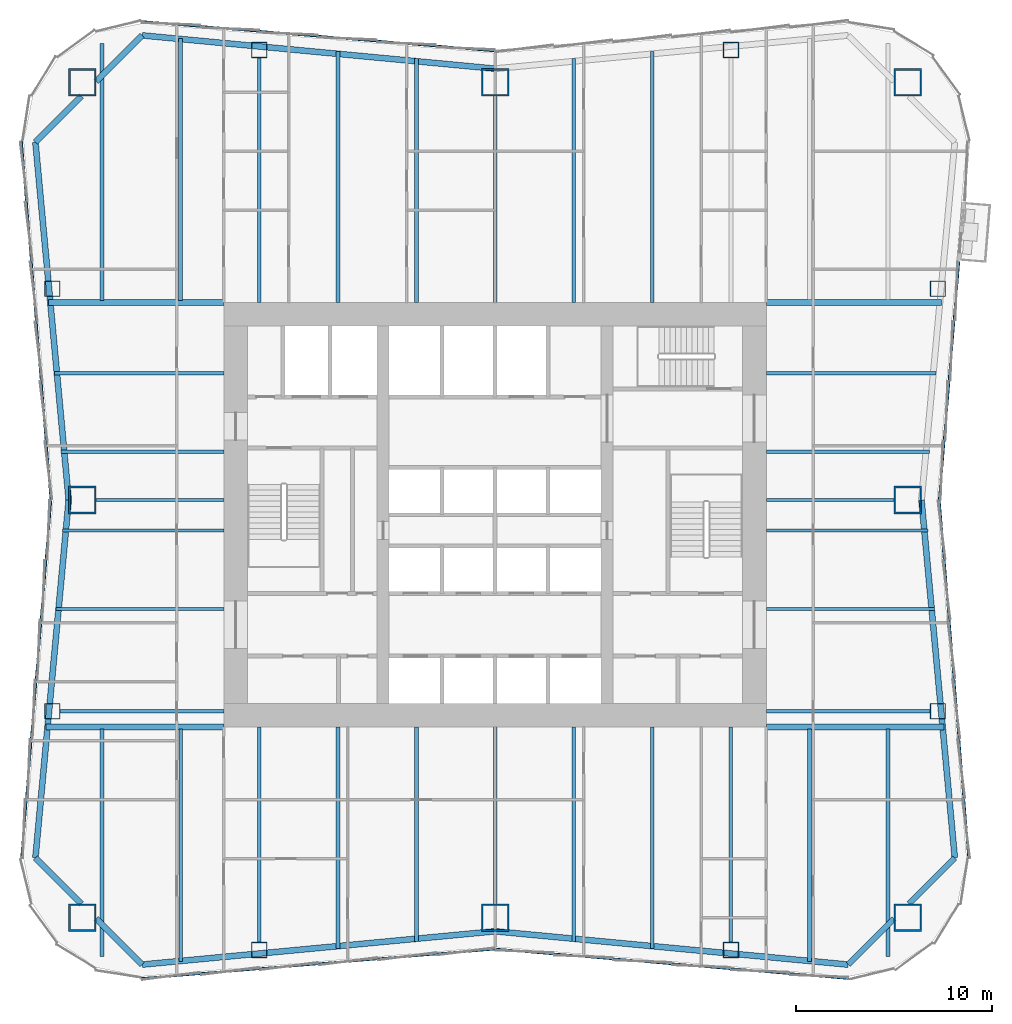
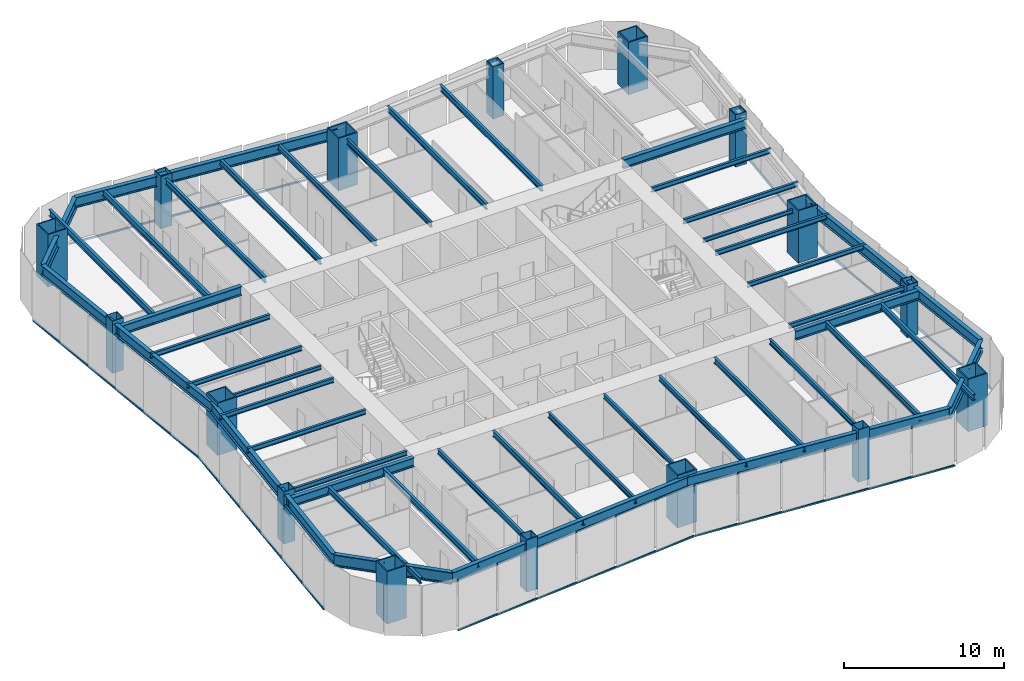
# One storey, part 1 of 9: 47 beams, 16 columns, 7 members, 4 elements without a shape of their own.
"""IFC4 building model written with IfcOpenShell, lengths in metres."""

from ifc_helpers import new_model, si_unit, direction, frame, origin, origin_2d, place, context, subcontext, project, spatial, rectangle, hollow_rectangle, i_section, extrude, material, material_profile, profile_set, type_object, element, aggregate, save


model = new_model("IFC4")

# Units and contexts
model_context = context("Model", 3, precision=1e-05, world=origin(), true_north=direction((0.0, 1.0)))
body_context = subcontext(model_context, "Body", "Model", "MODEL_VIEW")
ifc_project = project(units=[si_unit("LENGTHUNIT", "METRE"), si_unit("AREAUNIT", "SQUARE_METRE"), si_unit("VOLUMEUNIT", "CUBIC_METRE"), si_unit("PLANEANGLEUNIT", "RADIAN"), si_unit("MASSUNIT", "GRAM", prefix="KILO")], contexts=[model_context])

# Site, building, storey
site_placement = place(None, origin())
site = spatial("IfcSite", under=ifc_project, at=site_placement, CompositionType="ELEMENT")
building_placement = place(site_placement, origin())
building = spatial("IfcBuilding", under=site, at=building_placement, Name="Verdant Reach Tower", CompositionType="ELEMENT")
storey_placement = place(building_placement, frame((0.0, 0.0, 110.0)))
storey = spatial("IfcBuildingStorey", under=building, at=storey_placement, Name="L25", CompositionType="ELEMENT", Elevation=110.0)

# Columns
ifc_material_1 = material(Name="Steel S460", Category="steel")
ifc_material_profile_1 = material_profile(ifc_material_1, hollow_rectangle(XDim=1.39990234375, YDim=1.39990234375, WallThickness=0.080078125, at=origin_2d()), Name="WB 1400x1400x80")
ifc_profile_set_1 = profile_set([ifc_material_profile_1], Name="Steel S460")
column_type_1 = type_object("IfcColumnType", Name="ST-COL-WB1400x1400x80", PredefinedType="COLUMN", material=ifc_profile_set_1)
for number, where, z_axis, x_axis, name in (
    (1, (-21.0, 50.0, 0.0), (0.0, 0.0, 1.0), (1.0, 0.0, 0.0), "Mega column north-west, L25"),
    (2, (0.0, 50.0, 0.0), (0.0, 0.0, 1.0), (1.0, 0.0, 0.0), "Mega column north, L25"),
    (3, (21.0, 50.0, 0.0), (0.0, 0.0, 1.0), (1.0, 0.0, 0.0), "Mega column north-east, L25"),
    (4, (21.0, 28.75, 0.0), (0.0, 0.0, 1.0), (1.0, 0.0, 0.0), "Mega column east, L25"),
    (5, (21.0, 7.5, 0.0), (0.0, 0.0, 1.0), (1.0, 0.0, 0.0), "Mega column south-east, L25"),
    (6, (0.0, 7.5, 0.0), (0.0, 0.0, 1.0), (1.0, 0.0, 0.0), "Mega column south, L25"),
    (7, (-21.0, 7.5, 0.0), (0.0, 0.0, 1.0), (1.0, 0.0, 0.0), "Mega column south-west, L25"),
    (8, (-21.0, 28.75, 0.0), (0.0, 0.0, 1.0), (1.0, 0.0, 0.0), "Mega column west, L25"),
):
    element("IfcColumn", number, at=place(storey_placement, frame(where, z_axis=z_axis, x_axis=x_axis)), inside=storey, type_object=column_type_1, Name=name, PredefinedType="COLUMN", context=body_context, shape_type="SweptSolid", body=[
        extrude(hollow_rectangle(XDim=1.39990234375, YDim=1.39990234375, WallThickness=0.080078125, at=origin_2d()), origin(), (0.0, 0.0, 1.0), 4.0),
    ])
ifc_material_profile_2 = material_profile(ifc_material_1, hollow_rectangle(XDim=0.800048828125, YDim=0.800048828125, WallThickness=0.0400390625, at=origin_2d()), Name="WB 800x800x40")
ifc_profile_set_2 = profile_set([ifc_material_profile_2], Name="Steel S460")
column_type_2 = type_object("IfcColumnType", Name="ST-COL-WB800x800x40", PredefinedType="COLUMN", material=ifc_profile_set_2)
for number, where, z_axis, x_axis, name in (
    (9, (-12.0, 51.64990234375, 0.0), (0.0, 0.0, 1.0), (1.0, 0.0, 0.0), "Perimeter column north 1, L25"),
    (10, (12.0, 51.64990234375, 0.0), (0.0, 0.0, 1.0), (1.0, 0.0, 0.0), "Perimeter column north 2, L25"),
    (11, (-12.0, 5.85009765625, 0.0), (0.0, 0.0, 1.0), (1.0, 0.0, 0.0), "Perimeter column south 1, L25"),
    (12, (12.0, 5.85009765625, 0.0), (0.0, 0.0, 1.0), (1.0, 0.0, 0.0), "Perimeter column south 2, L25"),
    (13, (22.53369140625, 18.0, 0.0), (0.0, 0.0, 1.0), (1.0, 0.0, 0.0), "Perimeter column east 1, L25"),
    (14, (22.53369140625, 39.5, 0.0), (0.0, 0.0, 1.0), (1.0, 0.0, 0.0), "Perimeter column east 2, L25"),
    (15, (-22.53369140625, 18.0, 0.0), (0.0, 0.0, 1.0), (1.0, 0.0, 0.0), "Perimeter column west 1, L25"),
    (16, (-22.53369140625, 39.5, 0.0), (0.0, 0.0, 1.0), (1.0, 0.0, 0.0), "Perimeter column west 2, L25"),
):
    element("IfcColumn", number, at=place(storey_placement, frame(where, z_axis=z_axis, x_axis=x_axis)), inside=storey, type_object=column_type_2, Name=name, PredefinedType="COLUMN", context=body_context, shape_type="SweptSolid", body=[
        extrude(hollow_rectangle(XDim=0.800048828125, YDim=0.800048828125, WallThickness=0.0400390625, at=origin_2d()), origin(), (0.0, 0.0, 1.0), 4.0),
    ])

# Curtain wall, members
ifc_material_2 = material(Name="Anodised aluminium", Category="aluminium")
curtain_wall_type = type_object("IfcCurtainWallType", Name="EN-CW SYSTEM Z1", PredefinedType="NOTDEFINED", material=ifc_material_2)
curtain_wall_1_placement = place(storey_placement, origin())
curtain_wall_1 = element("IfcCurtainWall", 17, at=curtain_wall_1_placement, inside=storey, type_object=curtain_wall_type, Name="Curtain wall east, L25", PredefinedType="NOTDEFINED")
ifc_material_profile_3 = material_profile(ifc_material_2, rectangle(XDim=0.10009765625, YDim=0.1220703125, at=origin_2d()), Name="Transom 122x100")
ifc_profile_set_3 = profile_set([ifc_material_profile_3], Name="Anodised aluminium")
member_type = type_object("IfcMemberType", Name="EN-TRANSOM Z1", PredefinedType="USERDEFINED", material=ifc_profile_set_3)
member_1_placement = place(storey_placement, frame((24.100341796875, 10.52490234375, -0.2890625), z_axis=(-0.081886623329, 0.996641651207, 0.0), x_axis=(-0.996641651207, -0.081886623329, 0.0)))
member_1 = element("IfcMember", 18, at=member_1_placement, type_object=member_type, Name="Transom east face part 1 1.1, L25", ObjectType="TRANSOM", PredefinedType="USERDEFINED", context=body_context, shape_type="SweptSolid", body=[
    extrude(rectangle(XDim=0.10009765625, YDim=0.1220703125, at=origin_2d()), origin(), (0.0, 0.0, 1.0), 18.25537109375),
])
member_2_placement = place(storey_placement, frame((22.60546875, 28.781005859375, -0.2890625), z_axis=(0.081948400518, 0.996636573507, 0.0), x_axis=(-0.996636573507, 0.081948400518, 0.0)))
member_2 = element("IfcMember", 19, at=member_2_placement, type_object=member_type, Name="Transom east face part 2 1.1, L25", ObjectType="TRANSOM", PredefinedType="USERDEFINED", context=body_context, shape_type="SweptSolid", body=[
    extrude(rectangle(XDim=0.10009765625, YDim=0.1220703125, at=origin_2d()), origin(), (0.0, 0.0, 1.0), 12.13720703125),
])
aggregate(curtain_wall_1, [member_1, member_2])

# Curtain wall, member
curtain_wall_2_placement = place(storey_placement, origin())
curtain_wall_2 = element("IfcCurtainWall", 20, at=curtain_wall_2_placement, inside=storey, type_object=curtain_wall_type, Name="Curtain wall north, L25", PredefinedType="NOTDEFINED")
member_3_placement = place(storey_placement, frame((-0.031005859375, 51.60546875, -0.2890625), z_axis=(-0.996547815143, 0.083020793384, 0.0), x_axis=(-0.083020793384, -0.996547815143, 0.0)))
member_3 = element("IfcMember", 21, at=member_3_placement, type_object=member_type, Name="Transom north face part 2 1.1, L25", ObjectType="TRANSOM", PredefinedType="USERDEFINED", context=body_context, shape_type="SweptSolid", body=[
    extrude(rectangle(XDim=0.10009765625, YDim=0.1220703125, at=origin_2d()), origin(), (0.0, 0.0, 1.0), 18.006103515625),
])
aggregate(curtain_wall_2, [member_3])

# Curtain wall, members
curtain_wall_3_placement = place(storey_placement, origin())
curtain_wall_3 = element("IfcCurtainWall", 22, at=curtain_wall_3_placement, inside=storey, type_object=curtain_wall_type, Name="Curtain wall west, L25", PredefinedType="NOTDEFINED")
member_4_placement = place(storey_placement, frame((-24.100341796875, 46.97509765625, -0.2890625), z_axis=(0.081886623329, -0.996641651207, 0.0), x_axis=(0.996641651207, 0.081886623329, 0.0)))
member_4 = element("IfcMember", 23, at=member_4_placement, type_object=member_type, Name="Transom west face part 1 1.1, L25", ObjectType="TRANSOM", PredefinedType="USERDEFINED", context=body_context, shape_type="SweptSolid", body=[
    extrude(rectangle(XDim=0.10009765625, YDim=0.1220703125, at=origin_2d()), origin(), (0.0, 0.0, 1.0), 18.25537109375),
])
member_5_placement = place(storey_placement, frame((-22.60546875, 28.718994140625, -0.2890625), z_axis=(-0.081886623329, -0.996641651207, 0.0), x_axis=(0.996641651207, -0.081886623329, 0.0)))
member_5 = element("IfcMember", 24, at=member_5_placement, type_object=member_type, Name="Transom west face part 2 1.1, L25", ObjectType="TRANSOM", PredefinedType="USERDEFINED", context=body_context, shape_type="SweptSolid", body=[
    extrude(rectangle(XDim=0.10009765625, YDim=0.1220703125, at=origin_2d()), origin(), (0.0, 0.0, 1.0), 18.25537109375),
])
aggregate(curtain_wall_3, [member_4, member_5])

curtain_wall_4_placement = place(storey_placement, origin())
curtain_wall_4 = element("IfcCurtainWall", 25, at=curtain_wall_4_placement, inside=storey, type_object=curtain_wall_type, Name="Curtain wall south, L25", PredefinedType="NOTDEFINED")
member_6_placement = place(storey_placement, frame((-17.974853515625, 4.399658203125, -0.2890625), z_axis=(0.996547815143, 0.083020793384, 0.0), x_axis=(-0.083020793384, 0.996547815143, 0.0)))
member_6 = element("IfcMember", 26, at=member_6_placement, type_object=member_type, Name="Transom south face part 1 1.1, L25", ObjectType="TRANSOM", PredefinedType="USERDEFINED", context=body_context, shape_type="SweptSolid", body=[
    extrude(rectangle(XDim=0.10009765625, YDim=0.1220703125, at=origin_2d()), origin(), (0.0, 0.0, 1.0), 18.006103515625),
])
member_7_placement = place(storey_placement, frame((0.031005859375, 5.89453125, -0.2890625), z_axis=(0.996547815143, -0.083020793384, 0.0), x_axis=(0.083020793384, 0.996547815143, 0.0)))
member_7 = element("IfcMember", 27, at=member_7_placement, type_object=member_type, Name="Transom south face part 2 1.1, L25", ObjectType="TRANSOM", PredefinedType="USERDEFINED", context=body_context, shape_type="SweptSolid", body=[
    extrude(rectangle(XDim=0.10009765625, YDim=0.1220703125, at=origin_2d()), origin(), (0.0, 0.0, 1.0), 18.006103515625),
])
aggregate(curtain_wall_4, [member_6, member_7])

# Beams
ifc_material_3 = material(Name="Steel S355", Category="steel")
ifc_material_profile_4 = material_profile(ifc_material_3, i_section(OverallWidth=0.300048828125, OverallDepth=0.699951171875, WebThickness=0.01708984375, FlangeThickness=0.031982421875, FilletRadius=0.027099609375, at=origin_2d()), Name="HEB 700")
ifc_profile_set_4 = profile_set([ifc_material_profile_4], Name="Steel S355")
beam_type_1 = type_object("IfcBeamType", Name="ST-BEAM-HEB700", PredefinedType="BEAM", material=ifc_profile_set_4)
for number, where, z_axis, x_axis, name in (
    (28, (13.800048828125, 38.800048828125, 3.39990234375), (1.0, 0.0, 0.0), (0.0, 1.0, 0.0), "Trimmer beam, L25"),
    (29, (-13.800048828125, 38.800048828125, 3.39990234375), (-1.0, 0.0, 0.0), (0.0, -1.0, 0.0), "Trimmer beam, L25"),
):
    element("IfcBeam", number, at=place(storey_placement, frame(where, z_axis=z_axis, x_axis=x_axis)), inside=storey, type_object=beam_type_1, Name=name, PredefinedType="BEAM", context=body_context, shape_type="SweptSolid", body=[
        extrude(i_section(OverallWidth=0.300048828125, OverallDepth=0.699951171875, WebThickness=0.01708984375, FlangeThickness=0.031982421875, FilletRadius=0.027099609375, at=origin_2d()), origin(), (0.0, 0.0, 1.0), 8.924072265625),
    ])
for number, where, z_axis, x_axis, name in (
    (30, (13.800048828125, 17.199951171875, 3.39990234375), (1.0, 0.0, 0.0), (0.0, 1.0, 0.0), "Trimmer beam, L25"),
    (31, (-13.800048828125, 17.199951171875, 3.39990234375), (-1.0, 0.0, 0.0), (0.0, -1.0, 0.0), "Trimmer beam, L25"),
):
    element("IfcBeam", number, at=place(storey_placement, frame(where, z_axis=z_axis, x_axis=x_axis)), inside=storey, type_object=beam_type_1, Name=name, PredefinedType="BEAM", context=body_context, shape_type="SweptSolid", body=[
        extrude(i_section(OverallWidth=0.300048828125, OverallDepth=0.699951171875, WebThickness=0.01708984375, FlangeThickness=0.031982421875, FilletRadius=0.027099609375, at=origin_2d()), origin(), (0.0, 0.0, 1.0), 9.04736328125),
    ])
ifc_material_profile_5 = material_profile(ifc_material_3, i_section(OverallWidth=0.14990234375, OverallDepth=0.300048828125, WebThickness=0.007080078125, FlangeThickness=0.0107421875, FilletRadius=0.014892578125, at=origin_2d()), Name="IPE 300")
ifc_profile_set_5 = profile_set([ifc_material_profile_5], Name="Steel S355")
beam_type_2 = type_object("IfcBeamType", Name="ST-JOIST-IPE300", PredefinedType="JOIST", material=ifc_profile_set_5)
for number, where, z_axis, x_axis, name in (
    (32, (13.800048828125, 28.75, 3.60009765625), (1.0, 0.0, 0.0), (0.0, 1.0, 0.0), "Floor joist, L25"),
    (33, (-13.800048828125, 28.75, 3.60009765625), (-1.0, 0.0, 0.0), (0.0, -1.0, 0.0), "Floor joist, L25"),
):
    element("IfcBeam", number, at=place(storey_placement, frame(where, z_axis=z_axis, x_axis=x_axis)), inside=storey, type_object=beam_type_2, Name=name, PredefinedType="JOIST", context=body_context, shape_type="SweptSolid", body=[
        extrude(i_section(OverallWidth=0.14990234375, OverallDepth=0.300048828125, WebThickness=0.007080078125, FlangeThickness=0.0107421875, FilletRadius=0.014892578125, at=origin_2d()), origin(), (0.0, 0.0, 1.0), 6.5),
    ])
ifc_material_profile_6 = material_profile(ifc_material_3, i_section(OverallWidth=0.169921875, OverallDepth=0.360107421875, WebThickness=0.008056640625, FlangeThickness=0.0126953125, FilletRadius=0.01806640625, at=origin_2d()), Name="IPE 360")
ifc_profile_set_6 = profile_set([ifc_material_profile_6], Name="Steel S355")
beam_type_3 = type_object("IfcBeamType", Name="ST-JOIST-IPE360", PredefinedType="JOIST", material=ifc_profile_set_6)
beam_1_placement = place(storey_placement, frame((0.0, 17.199951171875, 3.570068359375), z_axis=(0.0, -1.0, 0.0), x_axis=(1.0, 0.0, 0.0)))
element("IfcBeam", 34, at=beam_1_placement, inside=storey, type_object=beam_type_3, Name="Floor joist, L25", PredefinedType="JOIST", context=body_context, shape_type="SweptSolid", body=[
    extrude(i_section(OverallWidth=0.169921875, OverallDepth=0.360107421875, WebThickness=0.008056640625, FlangeThickness=0.0126953125, FilletRadius=0.01806640625, at=origin_2d()), origin(), (0.0, 0.0, 1.0), 9.0),
])
for number, where, z_axis, x_axis, name in (
    (35, (13.800048828125, 18.0, 3.570068359375), (1.0, 0.0, 0.0), (0.0, 1.0, 0.0), "Floor joist, L25"),
    (36, (-13.800048828125, 18.0, 3.570068359375), (-1.0, 0.0, 0.0), (0.0, -1.0, 0.0), "Floor joist, L25"),
):
    element("IfcBeam", number, at=place(storey_placement, frame(where, z_axis=z_axis, x_axis=x_axis)), inside=storey, type_object=beam_type_3, Name=name, PredefinedType="JOIST", context=body_context, shape_type="SweptSolid", body=[
        extrude(i_section(OverallWidth=0.169921875, OverallDepth=0.360107421875, WebThickness=0.008056640625, FlangeThickness=0.0126953125, FilletRadius=0.01806640625, at=origin_2d()), origin(), (0.0, 0.0, 1.0), 8.33349609375),
    ])
for number, where, z_axis, x_axis, name in (
    (37, (13.800048828125, 23.199951171875, 3.570068359375), (1.0, 0.0, 0.0), (0.0, 1.0, 0.0), "Floor joist, L25"),
    (38, (-13.800048828125, 23.199951171875, 3.570068359375), (-1.0, 0.0, 0.0), (0.0, -1.0, 0.0), "Floor joist, L25"),
):
    element("IfcBeam", number, at=place(storey_placement, frame(where, z_axis=z_axis, x_axis=x_axis)), inside=storey, type_object=beam_type_3, Name=name, PredefinedType="JOIST", context=body_context, shape_type="SweptSolid", body=[
        extrude(i_section(OverallWidth=0.169921875, OverallDepth=0.360107421875, WebThickness=0.008056640625, FlangeThickness=0.0126953125, FilletRadius=0.01806640625, at=origin_2d()), origin(), (0.0, 0.0, 1.0), 8.553955078125),
    ])
for number, where, z_axis, x_axis, name in (
    (39, (13.800048828125, 27.199951171875, 3.570068359375), (1.0, 0.0, 0.0), (0.0, 1.0, 0.0), "Floor joist, L25"),
    (40, (-13.800048828125, 27.199951171875, 3.570068359375), (-1.0, 0.0, 0.0), (0.0, -1.0, 0.0), "Floor joist, L25"),
):
    element("IfcBeam", number, at=place(storey_placement, frame(where, z_axis=z_axis, x_axis=x_axis)), inside=storey, type_object=beam_type_3, Name=name, PredefinedType="JOIST", context=body_context, shape_type="SweptSolid", body=[
        extrude(i_section(OverallWidth=0.169921875, OverallDepth=0.360107421875, WebThickness=0.008056640625, FlangeThickness=0.0126953125, FilletRadius=0.01806640625, at=origin_2d()), origin(), (0.0, 0.0, 1.0), 8.225341796875),
    ])
for number, where, z_axis, x_axis, name in (
    (41, (13.800048828125, 31.199951171875, 3.570068359375), (1.0, 0.0, 0.0), (0.0, 1.0, 0.0), "Floor joist, L25"),
    (42, (-13.800048828125, 31.199951171875, 3.570068359375), (-1.0, 0.0, 0.0), (0.0, -1.0, 0.0), "Floor joist, L25"),
):
    element("IfcBeam", number, at=place(storey_placement, frame(where, z_axis=z_axis, x_axis=x_axis)), inside=storey, type_object=beam_type_3, Name=name, PredefinedType="JOIST", context=body_context, shape_type="SweptSolid", body=[
        extrude(i_section(OverallWidth=0.169921875, OverallDepth=0.360107421875, WebThickness=0.008056640625, FlangeThickness=0.0126953125, FilletRadius=0.01806640625, at=origin_2d()), origin(), (0.0, 0.0, 1.0), 8.29931640625),
    ])
for number, where, z_axis, x_axis, name in (
    (43, (13.800048828125, 35.199951171875, 3.570068359375), (1.0, 0.0, 0.0), (0.0, 1.0, 0.0), "Floor joist, L25"),
    (44, (-13.800048828125, 35.199951171875, 3.570068359375), (-1.0, 0.0, 0.0), (0.0, -1.0, 0.0), "Floor joist, L25"),
):
    element("IfcBeam", number, at=place(storey_placement, frame(where, z_axis=z_axis, x_axis=x_axis)), inside=storey, type_object=beam_type_3, Name=name, PredefinedType="JOIST", context=body_context, shape_type="SweptSolid", body=[
        extrude(i_section(OverallWidth=0.169921875, OverallDepth=0.360107421875, WebThickness=0.008056640625, FlangeThickness=0.0126953125, FilletRadius=0.01806640625, at=origin_2d()), origin(), (0.0, 0.0, 1.0), 8.6279296875),
    ])
ifc_material_profile_7 = material_profile(ifc_material_3, i_section(OverallWidth=0.179931640625, OverallDepth=0.39990234375, WebThickness=0.008544921875, FlangeThickness=0.013427734375, FilletRadius=0.02099609375, at=origin_2d()), Name="IPE 400")
ifc_profile_set_7 = profile_set([ifc_material_profile_7], Name="Steel S355")
beam_type_4 = type_object("IfcBeamType", Name="ST-JOIST-IPE400", PredefinedType="JOIST", material=ifc_profile_set_7)
beam_2_placement = place(storey_placement, frame((-12.0, 17.199951171875, 3.550048828125), z_axis=(0.0, -1.0, 0.0), x_axis=(1.0, 0.0, 0.0)))
element("IfcBeam", 45, at=beam_2_placement, inside=storey, type_object=beam_type_4, Name="Floor joist, L25", PredefinedType="JOIST", context=body_context, shape_type="SweptSolid", body=[
    extrude(i_section(OverallWidth=0.179931640625, OverallDepth=0.39990234375, WebThickness=0.008544921875, FlangeThickness=0.013427734375, FilletRadius=0.02099609375, at=origin_2d()), origin(), (0.0, 0.0, 1.0), 10.949951171875),
])
beam_3_placement = place(storey_placement, frame((-4.0, 17.199951171875, 3.550048828125), z_axis=(0.0, -1.0, 0.0), x_axis=(1.0, 0.0, 0.0)))
element("IfcBeam", 46, at=beam_3_placement, inside=storey, type_object=beam_type_4, Name="Floor joist, L25", PredefinedType="JOIST", context=body_context, shape_type="SweptSolid", body=[
    extrude(i_section(OverallWidth=0.179931640625, OverallDepth=0.39990234375, WebThickness=0.008544921875, FlangeThickness=0.013427734375, FilletRadius=0.02099609375, at=origin_2d()), origin(), (0.0, 0.0, 1.0), 10.93115234375),
])
beam_4_placement = place(storey_placement, frame((0.0, 38.800048828125, 3.550048828125), z_axis=(0.0, 1.0, 0.0), x_axis=(-1.0, 0.0, 0.0)))
element("IfcBeam", 47, at=beam_4_placement, inside=storey, type_object=beam_type_4, Name="Floor joist, L25", PredefinedType="JOIST", context=body_context, shape_type="SweptSolid", body=[
    extrude(i_section(OverallWidth=0.179931640625, OverallDepth=0.39990234375, WebThickness=0.008544921875, FlangeThickness=0.013427734375, FilletRadius=0.02099609375, at=origin_2d()), origin(), (0.0, 0.0, 1.0), 10.5),
])
beam_5_placement = place(storey_placement, frame((4.0, 17.199951171875, 3.550048828125), z_axis=(0.0, -1.0, 0.0), x_axis=(1.0, 0.0, 0.0)))
element("IfcBeam", 48, at=beam_5_placement, inside=storey, type_object=beam_type_4, Name="Floor joist, L25", PredefinedType="JOIST", context=body_context, shape_type="SweptSolid", body=[
    extrude(i_section(OverallWidth=0.179931640625, OverallDepth=0.39990234375, WebThickness=0.008544921875, FlangeThickness=0.013427734375, FilletRadius=0.02099609375, at=origin_2d()), origin(), (0.0, 0.0, 1.0), 10.93115234375),
])
beam_6_placement = place(storey_placement, frame((12.0, 17.199951171875, 3.550048828125), z_axis=(0.0, -1.0, 0.0), x_axis=(1.0, 0.0, 0.0)))
element("IfcBeam", 49, at=beam_6_placement, inside=storey, type_object=beam_type_4, Name="Floor joist, L25", PredefinedType="JOIST", context=body_context, shape_type="SweptSolid", body=[
    extrude(i_section(OverallWidth=0.179931640625, OverallDepth=0.39990234375, WebThickness=0.008544921875, FlangeThickness=0.013427734375, FilletRadius=0.02099609375, at=origin_2d()), origin(), (0.0, 0.0, 1.0), 10.949951171875),
])
ifc_material_profile_8 = material_profile(ifc_material_3, i_section(OverallWidth=0.18994140625, OverallDepth=0.449951171875, WebThickness=0.009521484375, FlangeThickness=0.0146484375, FilletRadius=0.02099609375, at=origin_2d()), Name="IPE 450")
ifc_profile_set_8 = profile_set([ifc_material_profile_8], Name="Steel S355")
beam_type_5 = type_object("IfcBeamType", Name="ST-JOIST-IPE450", PredefinedType="JOIST", material=ifc_profile_set_8)
beam_7_placement = place(storey_placement, frame((-20.0, 17.10009765625, 3.52490234375), z_axis=(0.0, -1.0, 0.0), x_axis=(1.0, 0.0, 0.0)))
element("IfcBeam", 50, at=beam_7_placement, inside=storey, type_object=beam_type_5, Name="Floor joist, L25", PredefinedType="JOIST", context=body_context, shape_type="SweptSolid", body=[
    extrude(i_section(OverallWidth=0.18994140625, OverallDepth=0.449951171875, WebThickness=0.009521484375, FlangeThickness=0.0146484375, FilletRadius=0.02099609375, at=origin_2d()), origin(), (0.0, 0.0, 1.0), 11.590576171875),
])
beam_8_placement = place(storey_placement, frame((-16.0, 17.10009765625, 3.52490234375), z_axis=(0.0, -1.0, 0.0), x_axis=(1.0, 0.0, 0.0)))
element("IfcBeam", 51, at=beam_8_placement, inside=storey, type_object=beam_type_5, Name="Floor joist, L25", PredefinedType="JOIST", context=body_context, shape_type="SweptSolid", body=[
    extrude(i_section(OverallWidth=0.18994140625, OverallDepth=0.449951171875, WebThickness=0.009521484375, FlangeThickness=0.0146484375, FilletRadius=0.02099609375, at=origin_2d()), origin(), (0.0, 0.0, 1.0), 11.831298828125),
])
beam_9_placement = place(storey_placement, frame((-12.0, 38.800048828125, 3.52490234375), z_axis=(0.0, 1.0, 0.0), x_axis=(-1.0, 0.0, 0.0)))
element("IfcBeam", 52, at=beam_9_placement, inside=storey, type_object=beam_type_5, Name="Floor joist, L25", PredefinedType="JOIST", context=body_context, shape_type="SweptSolid", body=[
    extrude(i_section(OverallWidth=0.18994140625, OverallDepth=0.449951171875, WebThickness=0.009521484375, FlangeThickness=0.0146484375, FilletRadius=0.02099609375, at=origin_2d()), origin(), (0.0, 0.0, 1.0), 12.449951171875),
])
beam_10_placement = place(storey_placement, frame((-8.0, 38.800048828125, 3.52490234375), z_axis=(0.0, 1.0, 0.0), x_axis=(-1.0, 0.0, 0.0)))
element("IfcBeam", 53, at=beam_10_placement, inside=storey, type_object=beam_type_5, Name="Floor joist, L25", PredefinedType="JOIST", context=body_context, shape_type="SweptSolid", body=[
    extrude(i_section(OverallWidth=0.18994140625, OverallDepth=0.449951171875, WebThickness=0.009521484375, FlangeThickness=0.0146484375, FilletRadius=0.02099609375, at=origin_2d()), origin(), (0.0, 0.0, 1.0), 12.7646484375),
])
beam_11_placement = place(storey_placement, frame((-8.0, 17.199951171875, 3.52490234375), z_axis=(0.0, -1.0, 0.0), x_axis=(1.0, 0.0, 0.0)))
element("IfcBeam", 54, at=beam_11_placement, inside=storey, type_object=beam_type_5, Name="Floor joist, L25", PredefinedType="JOIST", context=body_context, shape_type="SweptSolid", body=[
    extrude(i_section(OverallWidth=0.18994140625, OverallDepth=0.449951171875, WebThickness=0.009521484375, FlangeThickness=0.0146484375, FilletRadius=0.02099609375, at=origin_2d()), origin(), (0.0, 0.0, 1.0), 11.2646484375),
])
for number, where, z_axis, x_axis, name in (
    (55, (-4.0, 38.800048828125, 3.52490234375), (0.0, 1.0, 0.0), (-1.0, 0.0, 0.0), "Floor joist, L25"),
    (56, (4.0, 38.800048828125, 3.52490234375), (0.0, 1.0, 0.0), (-1.0, 0.0, 0.0), "Floor joist, L25"),
):
    element("IfcBeam", number, at=place(storey_placement, frame(where, z_axis=z_axis, x_axis=x_axis)), inside=storey, type_object=beam_type_5, Name=name, PredefinedType="JOIST", context=body_context, shape_type="SweptSolid", body=[
        extrude(i_section(OverallWidth=0.18994140625, OverallDepth=0.449951171875, WebThickness=0.009521484375, FlangeThickness=0.0146484375, FilletRadius=0.02099609375, at=origin_2d()), origin(), (0.0, 0.0, 1.0), 12.43115234375),
    ])
beam_12_placement = place(storey_placement, frame((8.0, 38.800048828125, 3.52490234375), z_axis=(0.0, 1.0, 0.0), x_axis=(-1.0, 0.0, 0.0)))
element("IfcBeam", 57, at=beam_12_placement, inside=storey, type_object=beam_type_5, Name="Floor joist, L25", PredefinedType="JOIST", context=body_context, shape_type="SweptSolid", body=[
    extrude(i_section(OverallWidth=0.18994140625, OverallDepth=0.449951171875, WebThickness=0.009521484375, FlangeThickness=0.0146484375, FilletRadius=0.02099609375, at=origin_2d()), origin(), (0.0, 0.0, 1.0), 12.7646484375),
])
beam_13_placement = place(storey_placement, frame((8.0, 17.199951171875, 3.52490234375), z_axis=(0.0, -1.0, 0.0), x_axis=(1.0, 0.0, 0.0)))
element("IfcBeam", 58, at=beam_13_placement, inside=storey, type_object=beam_type_5, Name="Floor joist, L25", PredefinedType="JOIST", context=body_context, shape_type="SweptSolid", body=[
    extrude(i_section(OverallWidth=0.18994140625, OverallDepth=0.449951171875, WebThickness=0.009521484375, FlangeThickness=0.0146484375, FilletRadius=0.02099609375, at=origin_2d()), origin(), (0.0, 0.0, 1.0), 11.2646484375),
])
beam_14_placement = place(storey_placement, frame((16.0, 17.10009765625, 3.52490234375), z_axis=(0.0, -1.0, 0.0), x_axis=(1.0, 0.0, 0.0)))
element("IfcBeam", 59, at=beam_14_placement, inside=storey, type_object=beam_type_5, Name="Floor joist, L25", PredefinedType="JOIST", context=body_context, shape_type="SweptSolid", body=[
    extrude(i_section(OverallWidth=0.18994140625, OverallDepth=0.449951171875, WebThickness=0.009521484375, FlangeThickness=0.0146484375, FilletRadius=0.02099609375, at=origin_2d()), origin(), (0.0, 0.0, 1.0), 11.831298828125),
])
beam_15_placement = place(storey_placement, frame((20.0, 17.10009765625, 3.52490234375), z_axis=(0.0, -1.0, 0.0), x_axis=(1.0, 0.0, 0.0)))
element("IfcBeam", 60, at=beam_15_placement, inside=storey, type_object=beam_type_5, Name="Floor joist, L25", PredefinedType="JOIST", context=body_context, shape_type="SweptSolid", body=[
    extrude(i_section(OverallWidth=0.18994140625, OverallDepth=0.449951171875, WebThickness=0.009521484375, FlangeThickness=0.0146484375, FilletRadius=0.02099609375, at=origin_2d()), origin(), (0.0, 0.0, 1.0), 11.590576171875),
])
ifc_material_profile_9 = material_profile(ifc_material_3, i_section(OverallWidth=0.199951171875, OverallDepth=0.5, WebThickness=0.01025390625, FlangeThickness=0.01611328125, FilletRadius=0.02099609375, at=origin_2d()), Name="IPE 500")
ifc_profile_set_9 = profile_set([ifc_material_profile_9], Name="Steel S355")
beam_type_6 = type_object("IfcBeamType", Name="ST-JOIST-IPE500", PredefinedType="JOIST", material=ifc_profile_set_9)
beam_16_placement = place(storey_placement, frame((-20.0, 38.89990234375, 3.5), z_axis=(0.0, 1.0, 0.0), x_axis=(-1.0, 0.0, 0.0)))
element("IfcBeam", 61, at=beam_16_placement, inside=storey, type_object=beam_type_6, Name="Floor joist, L25", PredefinedType="JOIST", context=body_context, shape_type="SweptSolid", body=[
    extrude(i_section(OverallWidth=0.199951171875, OverallDepth=0.5, WebThickness=0.01025390625, FlangeThickness=0.01611328125, FilletRadius=0.02099609375, at=origin_2d()), origin(), (0.0, 0.0, 1.0), 13.090576171875),
])
beam_17_placement = place(storey_placement, frame((-16.0, 38.89990234375, 3.5), z_axis=(0.0, 1.0, 0.0), x_axis=(-1.0, 0.0, 0.0)))
element("IfcBeam", 62, at=beam_17_placement, inside=storey, type_object=beam_type_6, Name="Floor joist, L25", PredefinedType="JOIST", context=body_context, shape_type="SweptSolid", body=[
    extrude(i_section(OverallWidth=0.199951171875, OverallDepth=0.5, WebThickness=0.01025390625, FlangeThickness=0.01611328125, FilletRadius=0.02099609375, at=origin_2d()), origin(), (0.0, 0.0, 1.0), 13.331298828125),
])
ifc_material_profile_10 = material_profile(ifc_material_3, i_section(OverallWidth=0.300048828125, OverallDepth=0.800048828125, WebThickness=0.017578125, FlangeThickness=0.032958984375, FilletRadius=0.030029296875, at=origin_2d()), Name="HEB 800")
ifc_profile_set_10 = profile_set([ifc_material_profile_10], Name="Steel S355")
beam_type_7 = type_object("IfcBeamType", Name="ST-SPANDREL-HEB800", PredefinedType="SPANDREL", material=ifc_profile_set_10)
for number, where, z_axis, x_axis, name in (
    (63, (17.9658203125, 5.10498046875, 3.35009765625), (-0.995578571765, 0.093932462137, 0.0), (-0.093932462137, -0.995578571765, 0.0), "Edge beam, L25"),
    (64, (0.0, 6.800048828125, 3.35009765625), (-0.995578571765, -0.093932462137, 0.0), (0.093932462137, -0.995578571765, 0.0), "Edge beam, L25"),
):
    element("IfcBeam", number, at=place(storey_placement, frame(where, z_axis=z_axis, x_axis=x_axis)), inside=storey, type_object=beam_type_7, Name=name, PredefinedType="SPANDREL", context=body_context, shape_type="SweptSolid", body=[
        extrude(i_section(OverallWidth=0.300048828125, OverallDepth=0.800048828125, WebThickness=0.017578125, FlangeThickness=0.032958984375, FilletRadius=0.030029296875, at=origin_2d()), origin(), (0.0, 0.0, 1.0), 18.045654296875),
    ])
for number, where, z_axis, x_axis, name in (
    (65, (-23.39501953125, 10.53466796875, 3.35009765625), (0.092656907618, 0.995698095544, 0.0), (-0.995698095544, 0.092656907618, 0.0), "Edge beam, L25"),
    (66, (-21.699951171875, 28.75, 3.35009765625), (-0.092656907618, 0.995698095544, 0.0), (-0.995698095544, -0.092656907618, 0.0), "Edge beam, L25"),
):
    element("IfcBeam", number, at=place(storey_placement, frame(where, z_axis=z_axis, x_axis=x_axis)), inside=storey, type_object=beam_type_7, Name=name, PredefinedType="SPANDREL", context=body_context, shape_type="SweptSolid", body=[
        extrude(i_section(OverallWidth=0.300048828125, OverallDepth=0.800048828125, WebThickness=0.017578125, FlangeThickness=0.032958984375, FilletRadius=0.030029296875, at=origin_2d()), origin(), (0.0, 0.0, 1.0), 18.2939453125),
    ])
beam_18_placement = place(storey_placement, frame((-17.9658203125, 52.39501953125, 3.35009765625), z_axis=(0.995578571765, -0.093932462137, 0.0), x_axis=(0.093932462137, 0.995578571765, 0.0)))
element("IfcBeam", 67, at=beam_18_placement, inside=storey, type_object=beam_type_7, Name="Edge beam, L25", PredefinedType="SPANDREL", context=body_context, shape_type="SweptSolid", body=[
    extrude(i_section(OverallWidth=0.300048828125, OverallDepth=0.800048828125, WebThickness=0.017578125, FlangeThickness=0.032958984375, FilletRadius=0.030029296875, at=origin_2d()), origin(), (0.0, 0.0, 1.0), 18.045654296875),
])
beam_19_placement = place(storey_placement, frame((21.699951171875, 28.75, 3.35009765625), z_axis=(0.092656907618, -0.995698095544, 0.0), x_axis=(0.995698095544, 0.092656907618, 0.0)))
element("IfcBeam", 68, at=beam_19_placement, inside=storey, type_object=beam_type_7, Name="Edge beam, L25", PredefinedType="SPANDREL", context=body_context, shape_type="SweptSolid", body=[
    extrude(i_section(OverallWidth=0.300048828125, OverallDepth=0.800048828125, WebThickness=0.017578125, FlangeThickness=0.032958984375, FilletRadius=0.030029296875, at=origin_2d()), origin(), (0.0, 0.0, 1.0), 18.2939453125),
])
ifc_material_profile_11 = material_profile(ifc_material_3, i_section(OverallWidth=0.302001953125, OverallDepth=0.909912109375, WebThickness=0.02099609375, FlangeThickness=0.0400390625, FilletRadius=0.030029296875, at=origin_2d()), Name="HEM 900")
ifc_profile_set_11 = profile_set([ifc_material_profile_11], Name="Steel S355")
beam_type_8 = type_object("IfcBeamType", Name="ST-SPANDREL-HEM900", PredefinedType="SPANDREL", material=ifc_profile_set_11)
beam_20_placement = place(storey_placement, frame((-17.9658203125, 5.10498046875, 3.294921875), z_axis=(-0.707106781187, 0.707106781187, 0.0), x_axis=(-0.707106781187, -0.707106781187, 0.0)))
element("IfcBeam", 69, at=beam_20_placement, inside=storey, type_object=beam_type_8, Name="Edge beam, L25", PredefinedType="SPANDREL", context=body_context, shape_type="SweptSolid", body=[
    extrude(i_section(OverallWidth=0.302001953125, OverallDepth=0.909912109375, WebThickness=0.02099609375, FlangeThickness=0.0400390625, FilletRadius=0.030029296875, at=origin_2d()), origin(), (0.0, 0.0, 1.0), 3.301025390625),
])
for number, where, z_axis, x_axis, name in (
    (70, (-21.060546875, 8.199951171875, 3.294921875), (-0.707069807316, 0.707143753123, 0.0), (-0.707143753123, -0.707069807316, 0.0), "Edge beam, L25"),
    (71, (-23.39501953125, 46.96533203125, 3.294921875), (0.707069807316, 0.707143753123, 0.0), (-0.707143753123, 0.707069807316, 0.0), "Edge beam, L25"),
):
    element("IfcBeam", number, at=place(storey_placement, frame(where, z_axis=z_axis, x_axis=x_axis)), inside=storey, type_object=beam_type_8, Name=name, PredefinedType="SPANDREL", context=body_context, shape_type="SweptSolid", body=[
        extrude(i_section(OverallWidth=0.302001953125, OverallDepth=0.909912109375, WebThickness=0.02099609375, FlangeThickness=0.0400390625, FilletRadius=0.030029296875, at=origin_2d()), origin(), (0.0, 0.0, 1.0), 3.301513671875),
    ])
beam_21_placement = place(storey_placement, frame((-20.300048828125, 50.060791015625, 3.294921875), z_axis=(0.707106781187, 0.707106781187, 0.0), x_axis=(-0.707106781187, 0.707106781187, 0.0)))
element("IfcBeam", 72, at=beam_21_placement, inside=storey, type_object=beam_type_8, Name="Edge beam, L25", PredefinedType="SPANDREL", context=body_context, shape_type="SweptSolid", body=[
    extrude(i_section(OverallWidth=0.302001953125, OverallDepth=0.909912109375, WebThickness=0.02099609375, FlangeThickness=0.0400390625, FilletRadius=0.030029296875, at=origin_2d()), origin(), (0.0, 0.0, 1.0), 3.301025390625),
])
beam_22_placement = place(storey_placement, frame((23.39501953125, 10.53466796875, 3.294921875), z_axis=(-0.707069807316, -0.707143753123, 0.0), x_axis=(0.707143753123, -0.707069807316, 0.0)))
element("IfcBeam", 73, at=beam_22_placement, inside=storey, type_object=beam_type_8, Name="Edge beam, L25", PredefinedType="SPANDREL", context=body_context, shape_type="SweptSolid", body=[
    extrude(i_section(OverallWidth=0.302001953125, OverallDepth=0.909912109375, WebThickness=0.02099609375, FlangeThickness=0.0400390625, FilletRadius=0.030029296875, at=origin_2d()), origin(), (0.0, 0.0, 1.0), 3.301513671875),
])
beam_23_placement = place(storey_placement, frame((20.300048828125, 7.439208984375, 3.294921875), z_axis=(-0.707106781187, -0.707106781187, 0.0), x_axis=(0.707106781187, -0.707106781187, 0.0)))
element("IfcBeam", 74, at=beam_23_placement, inside=storey, type_object=beam_type_8, Name="Edge beam, L25", PredefinedType="SPANDREL", context=body_context, shape_type="SweptSolid", body=[
    extrude(i_section(OverallWidth=0.302001953125, OverallDepth=0.909912109375, WebThickness=0.02099609375, FlangeThickness=0.0400390625, FilletRadius=0.030029296875, at=origin_2d()), origin(), (0.0, 0.0, 1.0), 3.301025390625),
])

save(model, "model.ifc")
